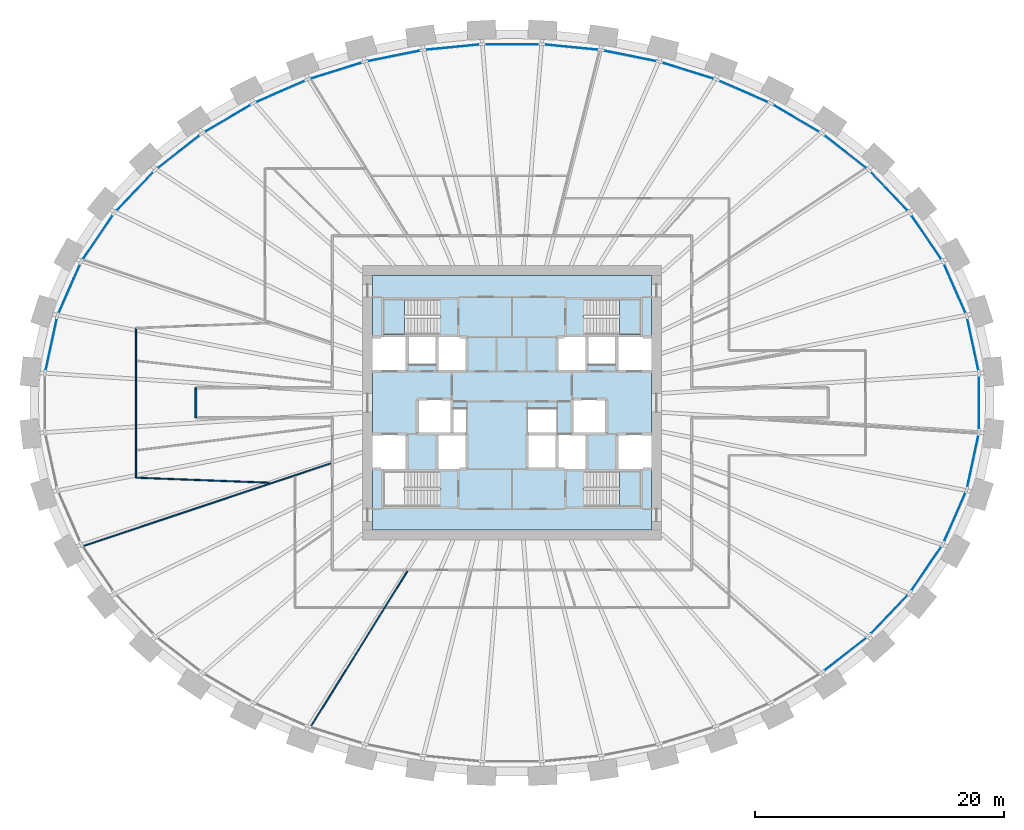
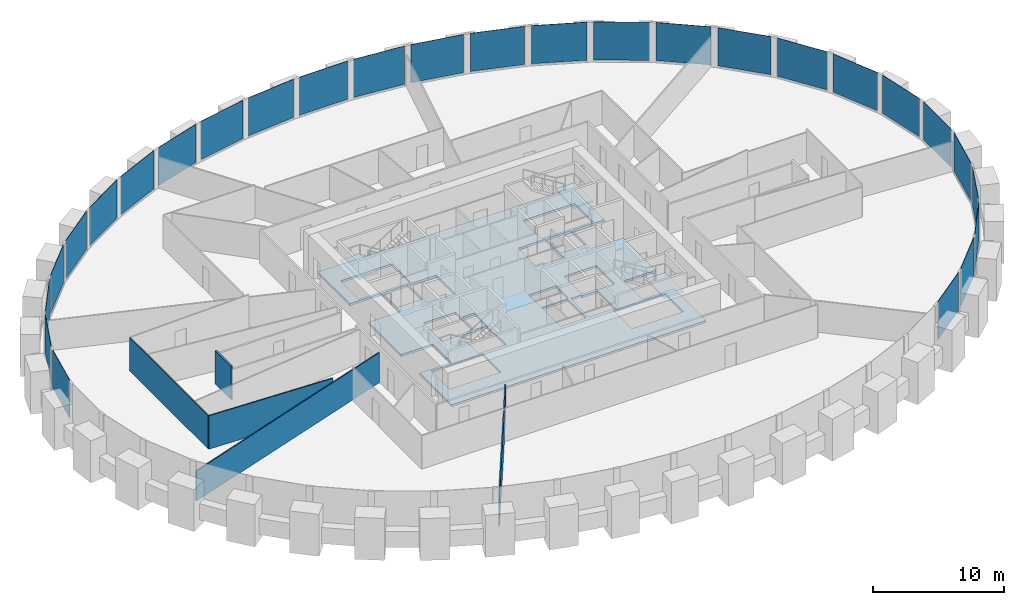
# One storey, part 5 of 11: 27 plates, 5 walls, 4 slabs, 4 elements without a shape of their own.
"""IFC4 building model written with IfcOpenShell, lengths in metres."""

from ifc_helpers import new_model, si_unit, direction, frame, frame_2d, origin, origin_2d, place, context, subcontext, project, spatial, polyline, rectangle, outline, extrude, source, transform, mapped, material, layer, layer_set, type_object, element, aggregate, save


model = new_model("IFC4")

# Units and contexts
model_context = context("Model", 3, precision=1e-05, world=origin(), true_north=direction((0.0, 1.0)))
body_context = subcontext(model_context, "Body", "Model", "MODEL_VIEW")
ifc_project = project(units=[si_unit("LENGTHUNIT", "METRE"), si_unit("AREAUNIT", "SQUARE_METRE"), si_unit("VOLUMEUNIT", "CUBIC_METRE"), si_unit("PLANEANGLEUNIT", "RADIAN"), si_unit("MASSUNIT", "GRAM", prefix="KILO")], contexts=[model_context])

# Site, building, storey
site_placement = place(None, origin())
site = spatial("IfcSite", under=ifc_project, at=site_placement, CompositionType="ELEMENT")
building_placement = place(site_placement, origin())
building = spatial("IfcBuilding", under=site, at=building_placement, Name="Embergate Tower", CompositionType="ELEMENT")
storey_placement = place(building_placement, frame((0.0, 0.0, 139.800048828125)))
storey = spatial("IfcBuildingStorey", under=building, at=storey_placement, Name="L30", CompositionType="ELEMENT", Elevation=139.800048828125)

# Curtain wall, plates
ifc_material_1 = material(Name="Aluminium and glass", Category="aluminium")
curtain_wall_type = type_object("IfcCurtainWallType", Name="Recessed office glazing", PredefinedType="NOTDEFINED", material=ifc_material_1)
curtain_wall_placement = place(storey_placement, origin())
curtain_wall = element("IfcCurtainWall", 1, at=curtain_wall_placement, inside=storey, type_object=curtain_wall_type, Name="Recessed office glazing ring", ObjectType="RECESSED OFFICE GLAZING", PredefinedType="USERDEFINED")
ifc_material_2 = material(Name="Triple glazing, low-emissivity coating", Category="glass")
ifc_layer_1 = layer(ifc_material_2, 0.035888671875)
ifc_layer_set_1 = layer_set([ifc_layer_1], Name="Triple glazing, low-emissivity coating")
plate_type = type_object("IfcPlateType", Name="Office glazing unit", PredefinedType="CURTAIN_PANEL", material=ifc_layer_set_1)
shared_shape_1 = source(origin(), body_context, "Body", "SweptSolid", [
    extrude(rectangle(XDim=4.25439453125, YDim=0.035888671875, at=origin_2d()), origin(), (0.0, 0.0, 1.0), 3.550048828125),
])
plate_1_placement = place(storey_placement, frame((9.481201171875, 27.817138671875, 0.14990234375), z_axis=(0.0, 0.0, 1.0), x_axis=(-0.980476250608, 0.196637539636, 0.0)))
plate_1 = element("IfcPlate", 2, at=plate_1_placement, type_object=plate_type, Name="CW panel 9.1", PredefinedType="CURTAIN_PANEL", context=body_context, shape_type="MappedRepresentation", body=[
    mapped(shared_shape_1, transform((0.0, 0.0, 0.0))),
])
plate_2_placement = place(storey_placement, frame((-9.481201171875, 27.817138671875, 0.14990234375), z_axis=(0.0, 0.0, 1.0), x_axis=(-0.980476250608, -0.196637539636, 0.0)))
plate_2 = element("IfcPlate", 3, at=plate_2_placement, type_object=plate_type, Name="CW panel 13.1", PredefinedType="CURTAIN_PANEL", context=body_context, shape_type="MappedRepresentation", body=[
    mapped(shared_shape_1, transform((0.0, 0.0, 0.0))),
])
shared_shape_2 = source(origin(), body_context, "Body", "SweptSolid", [
    extrude(rectangle(XDim=4.206298828125, YDim=0.035888671875, at=origin_2d()), origin(), (0.0, 0.0, 1.0), 3.550048828125),
])
plate_3_placement = place(storey_placement, frame((36.94921875, 4.672119140625, 0.14990234375), z_axis=(0.0, 0.0, 1.0), x_axis=(-0.210398391177, 0.97761573074, 0.0)))
plate_3 = element("IfcPlate", 4, at=plate_3_placement, type_object=plate_type, Name="CW panel 1.1", PredefinedType="CURTAIN_PANEL", context=body_context, shape_type="MappedRepresentation", body=[
    mapped(shared_shape_2, transform((0.0, 0.0, 0.0))),
])
plate_4_placement = place(storey_placement, frame((-36.94921875, 4.672119140625, 0.14990234375), z_axis=(0.0, 0.0, 1.0), x_axis=(-0.210398391177, -0.97761573074, 0.0)))
plate_4 = element("IfcPlate", 5, at=plate_4_placement, type_object=plate_type, Name="CW panel 21.1", PredefinedType="CURTAIN_PANEL", context=body_context, shape_type="MappedRepresentation", body=[
    mapped(shared_shape_2, transform((0.0, 0.0, 0.0))),
])
plate_5_placement = place(storey_placement, frame((36.94921875, -4.672119140625, 0.14990234375), z_axis=(0.0, 0.0, 1.0), x_axis=(0.210398391177, 0.97761573074, 0.0)))
plate_5 = element("IfcPlate", 6, at=plate_5_placement, type_object=plate_type, Name="CW panel 43.1", PredefinedType="CURTAIN_PANEL", context=body_context, shape_type="MappedRepresentation", body=[
    mapped(shared_shape_2, transform((0.0, 0.0, 0.0))),
])
shared_shape_3 = source(origin(), body_context, "Body", "SweptSolid", [
    extrude(rectangle(XDim=4.213134765625, YDim=0.035888671875, at=origin_2d()), origin(), (0.0, 0.0, 1.0), 3.550048828125),
])
plate_6_placement = place(storey_placement, frame((35.50146484375, 9.1494140625, 0.14990234375), z_axis=(0.0, 0.0, 1.0), x_axis=(-0.401655297873, 0.915790926844, 0.0)))
plate_6 = element("IfcPlate", 7, at=plate_6_placement, type_object=plate_type, Name="CW panel 2.1", PredefinedType="CURTAIN_PANEL", context=body_context, shape_type="MappedRepresentation", body=[
    mapped(shared_shape_3, transform((0.0, 0.0, 0.0))),
])
plate_7_placement = place(storey_placement, frame((-35.50146484375, 9.1494140625, 0.14990234375), z_axis=(0.0, 0.0, 1.0), x_axis=(-0.401655297873, -0.915790926844, 0.0)))
plate_7 = element("IfcPlate", 8, at=plate_7_placement, type_object=plate_type, Name="CW panel 20.1", PredefinedType="CURTAIN_PANEL", context=body_context, shape_type="MappedRepresentation", body=[
    mapped(shared_shape_3, transform((0.0, 0.0, 0.0))),
])
plate_8_placement = place(storey_placement, frame((35.50146484375, -9.1494140625, 0.14990234375), z_axis=(0.0, 0.0, 1.0), x_axis=(0.401655297873, 0.915790926844, 0.0)))
plate_8 = element("IfcPlate", 9, at=plate_8_placement, type_object=plate_type, Name="CW panel 42.1", PredefinedType="CURTAIN_PANEL", context=body_context, shape_type="MappedRepresentation", body=[
    mapped(shared_shape_3, transform((0.0, 0.0, 0.0))),
])
shared_shape_4 = source(origin(), body_context, "Body", "SweptSolid", [
    extrude(rectangle(XDim=4.22216796875, YDim=0.035888671875, at=origin_2d()), origin(), (0.0, 0.0, 1.0), 3.550048828125),
])
plate_9_placement = place(storey_placement, frame((33.217529296875, 13.27734375, 0.14990234375), z_axis=(0.0, 0.0, 1.0), x_axis=(-0.562344628355, 0.826902968286, 0.0)))
plate_9 = element("IfcPlate", 10, at=plate_9_placement, type_object=plate_type, Name="CW panel 3.1", PredefinedType="CURTAIN_PANEL", context=body_context, shape_type="MappedRepresentation", body=[
    mapped(shared_shape_4, transform((0.0, 0.0, 0.0))),
])
plate_10_placement = place(storey_placement, frame((-33.217529296875, 13.27734375, 0.14990234375), z_axis=(0.0, 0.0, 1.0), x_axis=(-0.562344628355, -0.826902968286, 0.0)))
plate_10 = element("IfcPlate", 11, at=plate_10_placement, type_object=plate_type, Name="CW panel 19.1", PredefinedType="CURTAIN_PANEL", context=body_context, shape_type="MappedRepresentation", body=[
    mapped(shared_shape_4, transform((0.0, 0.0, 0.0))),
])
plate_11_placement = place(storey_placement, frame((33.217529296875, -13.27734375, 0.14990234375), z_axis=(0.0, 0.0, 1.0), x_axis=(0.562344628355, 0.826902968286, 0.0)))
plate_11 = element("IfcPlate", 12, at=plate_11_placement, type_object=plate_type, Name="CW panel 41.1", PredefinedType="CURTAIN_PANEL", context=body_context, shape_type="MappedRepresentation", body=[
    mapped(shared_shape_4, transform((0.0, 0.0, 0.0))),
])
shared_shape_5 = source(origin(), body_context, "Body", "SweptSolid", [
    extrude(rectangle(XDim=4.230712890625, YDim=0.035888671875, at=origin_2d()), origin(), (0.0, 0.0, 1.0), 3.550048828125),
])
plate_12_placement = place(storey_placement, frame((30.244873046875, 16.95703125, 0.14990234375), z_axis=(0.0, 0.0, 1.0), x_axis=(-0.690137573644, 0.723678194673, 0.0)))
plate_12 = element("IfcPlate", 13, at=plate_12_placement, type_object=plate_type, Name="CW panel 4.1", PredefinedType="CURTAIN_PANEL", context=body_context, shape_type="MappedRepresentation", body=[
    mapped(shared_shape_5, transform((0.0, 0.0, 0.0))),
])
plate_13_placement = place(storey_placement, frame((-30.244873046875, 16.95703125, 0.14990234375), z_axis=(0.0, 0.0, 1.0), x_axis=(-0.690137573644, -0.723678194673, 0.0)))
plate_13 = element("IfcPlate", 14, at=plate_13_placement, type_object=plate_type, Name="CW panel 18.1", PredefinedType="CURTAIN_PANEL", context=body_context, shape_type="MappedRepresentation", body=[
    mapped(shared_shape_5, transform((0.0, 0.0, 0.0))),
])
plate_14_placement = place(storey_placement, frame((30.244873046875, -16.95703125, 0.14990234375), z_axis=(0.0, 0.0, 1.0), x_axis=(0.690137573644, 0.723678194673, 0.0)))
plate_14 = element("IfcPlate", 15, at=plate_14_placement, type_object=plate_type, Name="CW panel 40.1", PredefinedType="CURTAIN_PANEL", context=body_context, shape_type="MappedRepresentation", body=[
    mapped(shared_shape_5, transform((0.0, 0.0, 0.0))),
])
shared_shape_6 = source(origin(), body_context, "Body", "SweptSolid", [
    extrude(rectangle(XDim=4.23828125, YDim=0.035888671875, at=origin_2d()), origin(), (0.0, 0.0, 1.0), 3.550048828125),
])
plate_15_placement = place(storey_placement, frame((26.72998046875, 20.139892578125, 0.14990234375), z_axis=(0.0, 0.0, 1.0), x_axis=(-0.788322266931, 0.615262548398, 0.0)))
plate_15 = element("IfcPlate", 16, at=plate_15_placement, type_object=plate_type, Name="CW panel 5.1", PredefinedType="CURTAIN_PANEL", context=body_context, shape_type="MappedRepresentation", body=[
    mapped(shared_shape_6, transform((0.0, 0.0, 0.0))),
])
plate_16_placement = place(storey_placement, frame((-26.72998046875, 20.139892578125, 0.14990234375), z_axis=(0.0, 0.0, 1.0), x_axis=(-0.788322266931, -0.615262548398, 0.0)))
plate_16 = element("IfcPlate", 17, at=plate_16_placement, type_object=plate_type, Name="CW panel 17.1", PredefinedType="CURTAIN_PANEL", context=body_context, shape_type="MappedRepresentation", body=[
    mapped(shared_shape_6, transform((0.0, 0.0, 0.0))),
])
plate_17_placement = place(storey_placement, frame((26.72998046875, -20.139892578125, 0.14990234375), z_axis=(0.0, 0.0, 1.0), x_axis=(0.788322266931, 0.615262548398, 0.0)))
plate_17 = element("IfcPlate", 18, at=plate_17_placement, type_object=plate_type, Name="CW panel 39.1", PredefinedType="CURTAIN_PANEL", context=body_context, shape_type="MappedRepresentation", body=[
    mapped(shared_shape_6, transform((0.0, 0.0, 0.0))),
])
shared_shape_7 = source(origin(), body_context, "Body", "SweptSolid", [
    extrude(rectangle(XDim=4.244384765625, YDim=0.035888671875, at=origin_2d()), origin(), (0.0, 0.0, 1.0), 3.550048828125),
])
plate_18_placement = place(storey_placement, frame((22.801025390625, 22.810791015625, 0.14990234375), z_axis=(0.0, 0.0, 1.0), x_axis=(-0.862054936934, 0.506814843614, 0.0)))
plate_18 = element("IfcPlate", 19, at=plate_18_placement, type_object=plate_type, Name="CW panel 6.1", PredefinedType="CURTAIN_PANEL", context=body_context, shape_type="MappedRepresentation", body=[
    mapped(shared_shape_7, transform((0.0, 0.0, 0.0))),
])
plate_19_placement = place(storey_placement, frame((-22.801025390625, 22.810791015625, 0.14990234375), z_axis=(0.0, 0.0, 1.0), x_axis=(-0.862054936934, -0.506814843614, 0.0)))
plate_19 = element("IfcPlate", 20, at=plate_19_placement, type_object=plate_type, Name="CW panel 16.1", PredefinedType="CURTAIN_PANEL", context=body_context, shape_type="MappedRepresentation", body=[
    mapped(shared_shape_7, transform((0.0, 0.0, 0.0))),
])
shared_shape_8 = source(origin(), body_context, "Body", "SweptSolid", [
    extrude(rectangle(XDim=4.248779296875, YDim=0.035888671875, at=origin_2d()), origin(), (0.0, 0.0, 1.0), 3.550048828125),
])
plate_20_placement = place(storey_placement, frame((18.562744140625, 24.973388671875, 0.14990234375), z_axis=(0.0, 0.0, 1.0), x_axis=(-0.916236910986, 0.400636896638, 0.0)))
plate_20 = element("IfcPlate", 21, at=plate_20_placement, type_object=plate_type, Name="CW panel 7.1", PredefinedType="CURTAIN_PANEL", context=body_context, shape_type="MappedRepresentation", body=[
    mapped(shared_shape_8, transform((0.0, 0.0, 0.0))),
])
plate_21_placement = place(storey_placement, frame((-18.562744140625, 24.973388671875, 0.14990234375), z_axis=(0.0, 0.0, 1.0), x_axis=(-0.916236910986, -0.400636896638, 0.0)))
plate_21 = element("IfcPlate", 22, at=plate_21_placement, type_object=plate_type, Name="CW panel 15.1", PredefinedType="CURTAIN_PANEL", context=body_context, shape_type="MappedRepresentation", body=[
    mapped(shared_shape_8, transform((0.0, 0.0, 0.0))),
])
shared_shape_9 = source(origin(), body_context, "Body", "SweptSolid", [
    extrude(rectangle(XDim=4.252197265625, YDim=0.035888671875, at=origin_2d()), origin(), (0.0, 0.0, 1.0), 3.550048828125),
])
plate_22_placement = place(storey_placement, frame((14.10009765625, 26.63818359375, 0.14990234375), z_axis=(0.0, 0.0, 1.0), x_axis=(-0.954772736126, 0.297336547283, 0.0)))
plate_22 = element("IfcPlate", 23, at=plate_22_placement, type_object=plate_type, Name="CW panel 8.1", PredefinedType="CURTAIN_PANEL", context=body_context, shape_type="MappedRepresentation", body=[
    mapped(shared_shape_9, transform((0.0, 0.0, 0.0))),
])
plate_23_placement = place(storey_placement, frame((-14.10009765625, 26.63818359375, 0.14990234375), z_axis=(0.0, 0.0, 1.0), x_axis=(-0.954772736126, -0.297336547283, 0.0)))
plate_23 = element("IfcPlate", 24, at=plate_23_placement, type_object=plate_type, Name="CW panel 14.1", PredefinedType="CURTAIN_PANEL", context=body_context, shape_type="MappedRepresentation", body=[
    mapped(shared_shape_9, transform((0.0, 0.0, 0.0))),
])
shared_shape_10 = source(origin(), body_context, "Body", "SweptSolid", [
    extrude(rectangle(XDim=4.255615234375, YDim=0.035888671875, at=origin_2d()), origin(), (0.0, 0.0, 1.0), 3.550048828125),
])
plate_24_placement = place(storey_placement, frame((4.764404296875, 28.52001953125, 0.14990234375), z_axis=(0.0, 0.0, 1.0), x_axis=(-0.995203355531, 0.09782781373, 0.0)))
plate_24 = element("IfcPlate", 25, at=plate_24_placement, type_object=plate_type, Name="CW panel 10.1", PredefinedType="CURTAIN_PANEL", context=body_context, shape_type="MappedRepresentation", body=[
    mapped(shared_shape_10, transform((0.0, 0.0, 0.0))),
])
plate_25_placement = place(storey_placement, frame((-4.764404296875, 28.52001953125, 0.14990234375), z_axis=(0.0, 0.0, 1.0), x_axis=(-0.995203355531, -0.09782781373, 0.0)))
plate_25 = element("IfcPlate", 26, at=plate_25_placement, type_object=plate_type, Name="CW panel 12.1", PredefinedType="CURTAIN_PANEL", context=body_context, shape_type="MappedRepresentation", body=[
    mapped(shared_shape_10, transform((0.0, 0.0, 0.0))),
])
shared_shape_11 = source(origin(), body_context, "Body", "SweptSolid", [
    extrude(rectangle(XDim=4.256103515625, YDim=0.035888671875, at=origin_2d()), origin(), (0.0, 0.0, 1.0), 3.550048828125),
])
plate_26_placement = place(storey_placement, frame((0.0, 28.753662109375, 0.14990234375), z_axis=(0.0, 0.0, 1.0), x_axis=(-1.0, 0.0, 0.0)))
plate_26 = element("IfcPlate", 27, at=plate_26_placement, type_object=plate_type, Name="CW panel 11.1", PredefinedType="CURTAIN_PANEL", context=body_context, shape_type="MappedRepresentation", body=[
    mapped(shared_shape_11, transform((0.0, 0.0, 0.0))),
])
shared_shape_12 = source(origin(), body_context, "Body", "SweptSolid", [
    extrude(rectangle(XDim=4.20361328125, YDim=0.035888671875, at=origin_2d()), origin(), (0.0, 0.0, 1.0), 3.550048828125),
])
plate_27_placement = place(storey_placement, frame((37.4462890625, 0.0, 0.14990234375), z_axis=(0.0, 0.0, 1.0), x_axis=(0.0, 1.0, 0.0)))
plate_27 = element("IfcPlate", 28, at=plate_27_placement, type_object=plate_type, Name="CW panel 44.1", PredefinedType="CURTAIN_PANEL", context=body_context, shape_type="MappedRepresentation", body=[
    mapped(shared_shape_12, transform((0.0, 0.0, 0.0))),
])
aggregate(curtain_wall, [plate_3, plate_6, plate_9, plate_12, plate_15, plate_18, plate_20, plate_22, plate_1, plate_24, plate_26, plate_25, plate_2, plate_23, plate_21, plate_19, plate_16, plate_13, plate_10, plate_7, plate_4, plate_17, plate_14, plate_11, plate_8, plate_5, plate_27])

# Stair, slab
ifc_material_3 = material(Name="Exit stair")
stair_type = type_object("IfcStairType", Name="Exit stair", PredefinedType="HALF_TURN_STAIR", material=ifc_material_3)
stair_1_placement = place(storey_placement, origin())
stair_1 = element("IfcStair", 29, at=stair_1_placement, inside=storey, type_object=stair_type, Name="L30 Exit stair 1", PredefinedType="HALF_TURN_STAIR")
ifc_material_4 = material(Name="Concrete C40", Category="concrete")
ifc_layer_2 = layer(ifc_material_4, 0.199951171875)
ifc_layer_set_2 = layer_set([ifc_layer_2], Name="Concrete C40")
slab_type_1 = type_object("IfcSlabType", Name="Stair landing reinforced concrete", PredefinedType="LANDING", material=ifc_layer_set_2)
shared_shape_13 = source(origin(), body_context, "Body", "SweptSolid", [
    extrude(outline(polyline([(0.0, 0.0), (1.68994140625, 0.0), (1.68994140625, 2.800048828125), (0.0, 2.800048828125), (0.0, 0.0)])), origin(), (0.0, 0.0, 1.0), 0.199951171875),
])
slab_1_placement = place(storey_placement, frame((-10.300048828125, 5.5, 1.75)))
slab_1 = element("IfcSlab", 30, at=slab_1_placement, type_object=slab_type_1, Name="ST1 landing 1", PredefinedType="LANDING", context=body_context, shape_type="MappedRepresentation", body=[
    mapped(shared_shape_13, transform((0.0, 0.0, 0.0))),
])
aggregate(stair_1, [slab_1])

stair_2_placement = place(storey_placement, origin())
stair_2 = element("IfcStair", 31, at=stair_2_placement, inside=storey, type_object=stair_type, Name="L30 Exit stair 2", PredefinedType="HALF_TURN_STAIR")
slab_2_placement = place(storey_placement, frame((8.610107421875, 5.5, 1.75)))
slab_2 = element("IfcSlab", 32, at=slab_2_placement, type_object=slab_type_1, Name="ST2 landing 1", PredefinedType="LANDING", context=body_context, shape_type="MappedRepresentation", body=[
    mapped(shared_shape_13, transform((0.0, 0.0, 0.0))),
])
aggregate(stair_2, [slab_2])

stair_3_placement = place(storey_placement, origin())
stair_3 = element("IfcStair", 33, at=stair_3_placement, inside=storey, type_object=stair_type, Name="L30 Exit stair 4", PredefinedType="HALF_TURN_STAIR")
slab_3_placement = place(storey_placement, frame((8.610107421875, -8.300048828125, 1.75)))
slab_3 = element("IfcSlab", 34, at=slab_3_placement, type_object=slab_type_1, Name="ST4 landing 1", PredefinedType="LANDING", context=body_context, shape_type="MappedRepresentation", body=[
    mapped(shared_shape_13, transform((0.0, 0.0, 0.0))),
])
aggregate(stair_3, [slab_3])

# Slab
ifc_layer_3 = layer(ifc_material_4, 0.199951171875)
ifc_layer_set_3 = layer_set([ifc_layer_3], Name="Concrete C40")
slab_type_2 = type_object("IfcSlabType", Name="Core floor slab 200 reinforced concrete", PredefinedType="FLOOR", material=ifc_layer_set_3)
shared_shape_14 = source(origin(), body_context, "Body", "SweptSolid", [
    extrude(outline(polyline([(0.0, 0.0), (22.39990234375, 0.0), (22.39990234375, 4.89990234375), (19.599853515625, 4.89990234375), (19.599853515625, 7.699951171875), (22.39990234375, 7.699951171875), (22.39990234375, 12.699951171875), (19.599853515625, 12.699951171875), (19.599853515625, 15.5), (22.39990234375, 15.5), (22.39990234375, 20.39990234375), (0.0, 20.39990234375), (0.0, 15.5), (2.800048828125, 15.5), (2.800048828125, 12.699951171875), (0.0, 12.699951171875), (0.0, 7.699951171875), (2.800048828125, 7.699951171875), (2.800048828125, 4.89990234375), (0.0, 4.89990234375), (0.0, 0.0)]), holes=[polyline([(0.89990234375, 1.89990234375), (0.89990234375, 4.699951171875), (5.43994140625, 4.699951171875), (5.43994140625, 1.89990234375), (0.89990234375, 1.89990234375)]), polyline([(16.9599609375, 1.89990234375), (16.9599609375, 4.699951171875), (21.5, 4.699951171875), (21.5, 1.89990234375), (16.9599609375, 1.89990234375)]), polyline([(5.199951171875, 4.89990234375), (5.199951171875, 7.574951171875), (6.52490234375, 7.574951171875), (6.52490234375, 7.699951171875), (7.599853515625, 7.699951171875), (7.599853515625, 4.89990234375), (5.199951171875, 4.89990234375)]), polyline([(12.39990234375, 4.89990234375), (12.39990234375, 7.699951171875), (14.675048828125, 7.699951171875), (14.675048828125, 4.89990234375), (12.39990234375, 4.89990234375)]), polyline([(14.925048828125, 4.89990234375), (14.925048828125, 7.699951171875), (15.875, 7.699951171875), (15.875, 7.574951171875), (17.199951171875, 7.574951171875), (17.199951171875, 4.89990234375), (14.925048828125, 4.89990234375)]), polyline([(3.599853515625, 7.699951171875), (3.599853515625, 10.5), (6.39990234375, 10.5), (6.39990234375, 7.824951171875), (5.074951171875, 7.824951171875), (5.074951171875, 7.699951171875), (3.599853515625, 7.699951171875)]), polyline([(17.324951171875, 7.699951171875), (17.324951171875, 7.824951171875), (16.0, 7.824951171875), (16.0, 10.5), (18.800048828125, 10.5), (18.800048828125, 7.699951171875), (17.324951171875, 7.699951171875)]), polyline([(6.52490234375, 7.824951171875), (6.52490234375, 9.699951171875), (7.599853515625, 9.699951171875), (7.599853515625, 7.824951171875), (6.52490234375, 7.824951171875)]), polyline([(12.39990234375, 7.824951171875), (12.39990234375, 9.699951171875), (14.800048828125, 9.699951171875), (14.800048828125, 7.824951171875), (14.675048828125, 7.824951171875), (12.39990234375, 7.824951171875)]), polyline([(5.199951171875, 12.699951171875), (5.199951171875, 15.5), (7.599853515625, 15.5), (7.599853515625, 12.699951171875), (5.199951171875, 12.699951171875)]), polyline([(14.800048828125, 12.699951171875), (14.800048828125, 15.5), (17.199951171875, 15.5), (17.199951171875, 12.699951171875), (14.800048828125, 12.699951171875)]), polyline([(2.925048828125, 13.300048828125), (2.925048828125, 15.5), (5.074951171875, 15.5), (5.074951171875, 13.300048828125), (2.925048828125, 13.300048828125)]), polyline([(17.324951171875, 13.300048828125), (17.324951171875, 15.5), (19.474853515625, 15.5), (19.474853515625, 13.300048828125), (17.324951171875, 13.300048828125)]), polyline([(0.89990234375, 15.699951171875), (0.89990234375, 18.5), (5.43994140625, 18.5), (5.43994140625, 15.699951171875), (0.89990234375, 15.699951171875)]), polyline([(16.9599609375, 15.699951171875), (16.9599609375, 18.5), (21.5, 18.5), (21.5, 15.699951171875), (16.9599609375, 15.699951171875)])]), origin(), (0.0, 0.0, 1.0), 0.199951171875),
])
slab_4_placement = place(storey_placement, frame((-11.199951171875, -10.199951171875, -0.199951171875)))
element("IfcSlab", 35, at=slab_4_placement, inside=storey, type_object=slab_type_2, Name="Core floor slab", PredefinedType="FLOOR", context=body_context, shape_type="MappedRepresentation", body=[
    mapped(shared_shape_14, transform((0.0, 0.0, 0.0))),
])

# Walls
ifc_material_5 = material(Name="Corridor wall dry-lined 150")
ifc_layer_4 = layer(ifc_material_5, 0.14990234375)
ifc_layer_set_4 = layer_set([ifc_layer_4], Name="Corridor wall dry-lined 150")
wall_type_1 = type_object("IfcWallType", Name="Corridor wall dry-lined 150", PredefinedType="PARTITIONING", material=ifc_layer_set_4)
shared_shape_15 = source(origin(), body_context, "Body", "SweptSolid", [
    extrude(rectangle(XDim=2.39990234375, YDim=0.14990234375, at=frame_2d((1.199951171875, 0.0))), origin(), (0.0, 0.0, 1.0), 3.099853515625),
])
wall_1_placement = place(storey_placement, frame((-25.35009765625, -1.199951171875, 0.0), z_axis=(0.0, 0.0, 1.0), x_axis=(0.0, 1.0, 0.0)))
element("IfcWall", 36, at=wall_1_placement, inside=storey, type_object=wall_type_1, Name="IP-2 wall", PredefinedType="PARTITIONING", context=body_context, shape_type="MappedRepresentation", body=[
    mapped(shared_shape_15, transform((0.0, 0.0, 0.0))),
])
ifc_material_6 = material(Name="Partition dry-lined 100")
ifc_layer_5 = layer(ifc_material_6, 0.10009765625)
ifc_layer_set_5 = layer_set([ifc_layer_5], Name="Partition dry-lined 100")
wall_type_2 = type_object("IfcWallType", Name="Partition dry-lined 100", PredefinedType="PARTITIONING", material=ifc_layer_set_5)
shared_shape_16 = source(origin(), body_context, "Body", "SweptSolid", [
    extrude(rectangle(XDim=21.021484375, YDim=0.10009765625, at=frame_2d((10.5107421875, 0.0))), origin(), (0.0, 0.0, 1.0), 2.800048828125),
])
wall_2_placement = place(storey_placement, frame((-34.429931640625, -11.4990234375, 0.0), z_axis=(0.0, 0.0, 1.0), x_axis=(0.948503129664, 0.316767758805, 0.0)))
element("IfcWall", 37, at=wall_2_placement, inside=storey, type_object=wall_type_2, Name="IP-1 wall", PredefinedType="PARTITIONING", context=body_context, shape_type="MappedRepresentation", body=[
    mapped(shared_shape_16, transform((0.0, 0.0, 0.0))),
])
shared_shape_17 = source(origin(), body_context, "Body", "SweptSolid", [
    extrude(rectangle(XDim=14.712158203125, YDim=0.10009765625, at=frame_2d((7.35595703125, 0.0))), origin(), (0.0, 0.0, 1.0), 2.89990234375),
])
wall_3_placement = place(storey_placement, frame((-16.154052734375, -25.9970703125, 0.0), z_axis=(0.0, 0.0, 1.0), x_axis=(0.527801481892, 0.849367762346, 0.0)))
element("IfcWall", 38, at=wall_3_placement, inside=storey, type_object=wall_type_2, Name="IP-1 wall", PredefinedType="PARTITIONING", context=body_context, shape_type="MappedRepresentation", body=[
    mapped(shared_shape_17, transform((0.0, 0.0, 0.0))),
])
shared_shape_18 = source(origin(), body_context, "Body", "SweptSolid", [
    extrude(rectangle(XDim=12.0, YDim=0.10009765625, at=frame_2d((6.0, 0.0))), origin(), (0.0, 0.0, 1.0), 3.099853515625),
])
wall_4_placement = place(storey_placement, frame((-30.14990234375, -6.0, 0.0), z_axis=(0.0, 0.0, 1.0), x_axis=(0.0, 1.0, 0.0)))
element("IfcWall", 39, at=wall_4_placement, inside=storey, type_object=wall_type_2, Name="IP-1 wall", PredefinedType="PARTITIONING", context=body_context, shape_type="MappedRepresentation", body=[
    mapped(shared_shape_18, transform((0.0, 0.0, 0.0))),
])
shared_shape_19 = source(origin(), body_context, "Body", "SweptSolid", [
    extrude(rectangle(XDim=10.682373046875, YDim=0.10009765625, at=frame_2d((5.34130859375, 0.0))), origin(), (0.0, 0.0, 1.0), 3.099853515625),
])
wall_5_placement = place(storey_placement, frame((-19.47509765625, -6.402099609375, 0.0), z_axis=(0.0, 0.0, 1.0), x_axis=(-0.999291311197, 0.037641404939, 0.0)))
element("IfcWall", 40, at=wall_5_placement, inside=storey, type_object=wall_type_2, Name="IP-1 wall", PredefinedType="PARTITIONING", context=body_context, shape_type="MappedRepresentation", body=[
    mapped(shared_shape_19, transform((0.0, 0.0, 0.0))),
])

save(model, "model.ifc")
